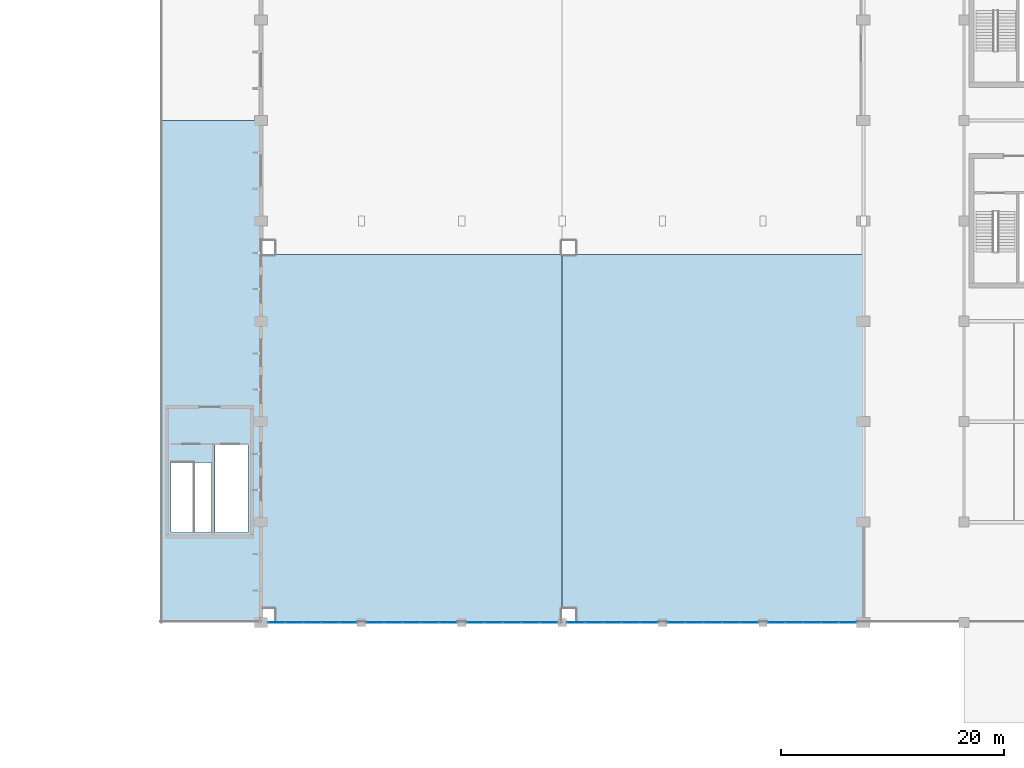
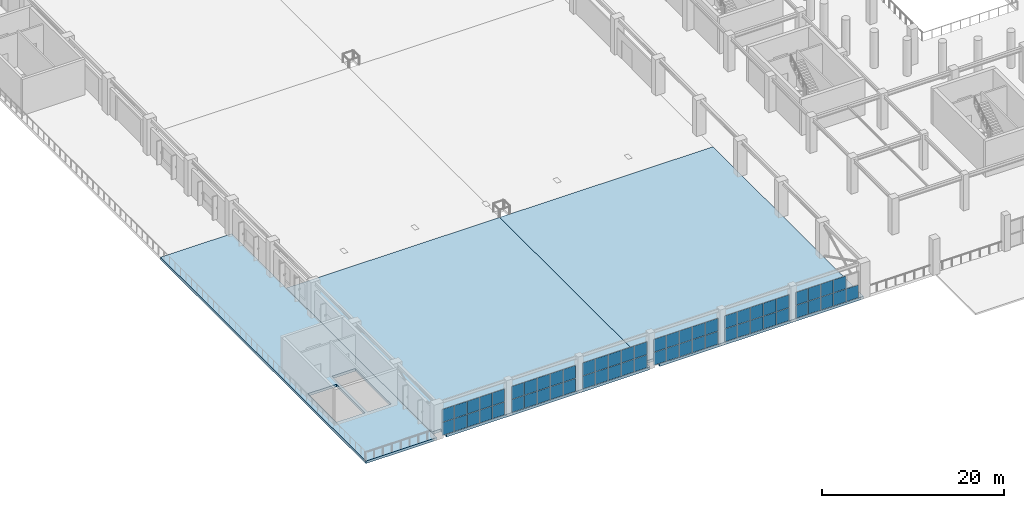
# One storey, part 51 of 89: 59 plates, 3 slabs, 6 elements without a shape of their own.
"""IFC4 building model written with IfcOpenShell, lengths in metres."""

from ifc_helpers import new_model, si_unit, direction, frame, origin, origin_2d, place, context, subcontext, project, spatial, polyline, rectangle, outline, extrude, material, layer, layer_set, type_object, element, aggregate, save


model = new_model("IFC4")

# Units and contexts
model_context = context("Model", 3, precision=1e-05, world=origin(), true_north=direction((0.0, 1.0)))
body_context = subcontext(model_context, "Body", "Model", "MODEL_VIEW")
ifc_project = project(units=[si_unit("LENGTHUNIT", "METRE"), si_unit("AREAUNIT", "SQUARE_METRE"), si_unit("VOLUMEUNIT", "CUBIC_METRE"), si_unit("PLANEANGLEUNIT", "RADIAN"), si_unit("MASSUNIT", "GRAM", prefix="KILO")], contexts=[model_context])

# Site, building, storey
site_placement = place(None, origin())
site = spatial("IfcSite", under=ifc_project, at=site_placement, CompositionType="ELEMENT")
building_placement = place(site_placement, origin())
building = spatial("IfcBuilding", under=site, at=building_placement, Name="Dornveld Trade and Exhibition Forum", CompositionType="ELEMENT")
storey_placement = place(building_placement, frame((0.0, 0.0, 12.0)))
storey = spatial("IfcBuildingStorey", under=building, at=storey_placement, Name="L02", CompositionType="ELEMENT", Elevation=12.0)

# Curtain wall, plates
ifc_material_1 = material(Name="Dark-bronze anodised aluminium and low-E glass", Category="aluminium")
ifc_layer_1 = layer(ifc_material_1, 0.1630859375)
ifc_layer_set_1 = layer_set([ifc_layer_1], Name="Dark-bronze anodised aluminium and low-E glass")
curtain_wall_type_1 = type_object("IfcCurtainWallType", Name="CW-SYS-07", PredefinedType="USERDEFINED", material=ifc_layer_set_1)
curtain_wall_1_placement = place(storey_placement, origin())
curtain_wall_1 = element("IfcCurtainWall", 1, at=curtain_wall_1_placement, inside=storey, type_object=curtain_wall_type_1, Name="L02 unitised curtain wall 25", ObjectType="UNITISED_CURTAIN_WALL", PredefinedType="USERDEFINED")
ifc_material_2 = material(Name="Double-glazed low-E solar control glass", Category="glass")
ifc_layer_2 = layer(ifc_material_2, 0.02587890625)
ifc_layer_set_2 = layer_set([ifc_layer_2], Name="Double-glazed low-E solar control glass")
plate_type_1 = type_object("IfcPlateType", Name="CW-PNL-01", PredefinedType="CURTAIN_PANEL", material=ifc_layer_set_2)
plate_1_placement = place(storey_placement, frame((55.2119140625, 36.0, 0.05615234375), z_axis=(0.0, 0.0, 1.0), x_axis=(1.0, 0.0, 0.0)))
plate_1 = element("IfcPlate", 2, at=plate_1_placement, type_object=plate_type_1, Name="CW-07 panel 1.1", PredefinedType="CURTAIN_PANEL", context=body_context, shape_type="SweptSolid", body=[
    extrude(rectangle(XDim=1.5615234375, YDim=0.02587890625, at=origin_2d()), origin(), (0.0, 0.0, 1.0), 1.701904296875),
])
plate_2_placement = place(storey_placement, frame((55.2119140625, 36.0, 1.81787109375), z_axis=(0.0, 0.0, 1.0), x_axis=(1.0, 0.0, 0.0)))
plate_2 = element("IfcPlate", 3, at=plate_2_placement, type_object=plate_type_1, Name="CW-07 panel 1.2", PredefinedType="CURTAIN_PANEL", context=body_context, shape_type="SweptSolid", body=[
    extrude(rectangle(XDim=1.5615234375, YDim=0.02587890625, at=origin_2d()), origin(), (0.0, 0.0, 1.0), 1.701904296875),
])
plate_3_placement = place(storey_placement, frame((56.848388671875, 36.0, 0.05615234375), z_axis=(0.0, 0.0, 1.0), x_axis=(1.0, 0.0, 0.0)))
plate_3 = element("IfcPlate", 4, at=plate_3_placement, type_object=plate_type_1, Name="CW-07 panel 2.1", PredefinedType="CURTAIN_PANEL", context=body_context, shape_type="SweptSolid", body=[
    extrude(rectangle(XDim=1.591552734375, YDim=0.02587890625, at=origin_2d()), origin(), (0.0, 0.0, 1.0), 1.701904296875),
])
plate_4_placement = place(storey_placement, frame((56.848388671875, 36.0, 1.81787109375), z_axis=(0.0, 0.0, 1.0), x_axis=(1.0, 0.0, 0.0)))
plate_4 = element("IfcPlate", 5, at=plate_4_placement, type_object=plate_type_1, Name="CW-07 panel 2.2", PredefinedType="CURTAIN_PANEL", context=body_context, shape_type="SweptSolid", body=[
    extrude(rectangle(XDim=1.591552734375, YDim=0.02587890625, at=origin_2d()), origin(), (0.0, 0.0, 1.0), 1.701904296875),
])
plate_5_placement = place(storey_placement, frame((58.5, 36.0, 0.05615234375), z_axis=(0.0, 0.0, 1.0), x_axis=(1.0, 0.0, 0.0)))
plate_5 = element("IfcPlate", 6, at=plate_5_placement, type_object=plate_type_1, Name="CW-07 panel 3.1", PredefinedType="CURTAIN_PANEL", context=body_context, shape_type="SweptSolid", body=[
    extrude(rectangle(XDim=1.591552734375, YDim=0.02587890625, at=origin_2d()), origin(), (0.0, 0.0, 1.0), 1.701904296875),
])
plate_6_placement = place(storey_placement, frame((58.5, 36.0, 1.81787109375), z_axis=(0.0, 0.0, 1.0), x_axis=(1.0, 0.0, 0.0)))
plate_6 = element("IfcPlate", 7, at=plate_6_placement, type_object=plate_type_1, Name="CW-07 panel 3.2", PredefinedType="CURTAIN_PANEL", context=body_context, shape_type="SweptSolid", body=[
    extrude(rectangle(XDim=1.591552734375, YDim=0.02587890625, at=origin_2d()), origin(), (0.0, 0.0, 1.0), 1.701904296875),
])
plate_7_placement = place(storey_placement, frame((60.151611328125, 36.0, 0.05615234375), z_axis=(0.0, 0.0, 1.0), x_axis=(1.0, 0.0, 0.0)))
plate_7 = element("IfcPlate", 8, at=plate_7_placement, type_object=plate_type_1, Name="CW-07 panel 4.1", PredefinedType="CURTAIN_PANEL", context=body_context, shape_type="SweptSolid", body=[
    extrude(rectangle(XDim=1.591552734375, YDim=0.02587890625, at=origin_2d()), origin(), (0.0, 0.0, 1.0), 1.701904296875),
])
plate_8_placement = place(storey_placement, frame((60.151611328125, 36.0, 1.81787109375), z_axis=(0.0, 0.0, 1.0), x_axis=(1.0, 0.0, 0.0)))
plate_8 = element("IfcPlate", 9, at=plate_8_placement, type_object=plate_type_1, Name="CW-07 panel 4.2", PredefinedType="CURTAIN_PANEL", context=body_context, shape_type="SweptSolid", body=[
    extrude(rectangle(XDim=1.591552734375, YDim=0.02587890625, at=origin_2d()), origin(), (0.0, 0.0, 1.0), 1.701904296875),
])
plate_9_placement = place(storey_placement, frame((61.7880859375, 36.0, 0.05615234375), z_axis=(0.0, 0.0, 1.0), x_axis=(1.0, 0.0, 0.0)))
plate_9 = element("IfcPlate", 10, at=plate_9_placement, type_object=plate_type_1, Name="CW-07 panel 5.1", PredefinedType="CURTAIN_PANEL", context=body_context, shape_type="SweptSolid", body=[
    extrude(rectangle(XDim=1.5615234375, YDim=0.02587890625, at=origin_2d()), origin(), (0.0, 0.0, 1.0), 1.701904296875),
])
plate_10_placement = place(storey_placement, frame((61.7880859375, 36.0, 1.81787109375), z_axis=(0.0, 0.0, 1.0), x_axis=(1.0, 0.0, 0.0)))
plate_10 = element("IfcPlate", 11, at=plate_10_placement, type_object=plate_type_1, Name="CW-07 panel 5.2", PredefinedType="CURTAIN_PANEL", context=body_context, shape_type="SweptSolid", body=[
    extrude(rectangle(XDim=1.5615234375, YDim=0.02587890625, at=origin_2d()), origin(), (0.0, 0.0, 1.0), 1.701904296875),
])
aggregate(curtain_wall_1, [plate_1, plate_2, plate_3, plate_4, plate_5, plate_6, plate_7, plate_8, plate_9, plate_10])

ifc_material_3 = material(Name="Dark-bronze anodised aluminium and low-E glass", Category="aluminium")
ifc_layer_3 = layer(ifc_material_3, 0.14501953125)
ifc_layer_set_3 = layer_set([ifc_layer_3], Name="Dark-bronze anodised aluminium and low-E glass")
curtain_wall_type_2 = type_object("IfcCurtainWallType", Name="CW-SYS-01", PredefinedType="USERDEFINED", material=ifc_layer_set_3)
curtain_wall_2_placement = place(storey_placement, origin())
curtain_wall_2 = element("IfcCurtainWall", 12, at=curtain_wall_2_placement, inside=storey, type_object=curtain_wall_type_2, Name="L02 unitised curtain wall 19", ObjectType="UNITISED_CURTAIN_WALL", PredefinedType="USERDEFINED")
ifc_material_4 = material(Name="Double-glazed low-E solar control glass", Category="glass")
ifc_layer_4 = layer(ifc_material_4, 0.030029296875)
ifc_layer_set_4 = layer_set([ifc_layer_4], Name="Double-glazed low-E solar control glass")
plate_type_2 = type_object("IfcPlateType", Name="CW-PNL-03", PredefinedType="CURTAIN_PANEL", material=ifc_layer_set_4)
plate_11_placement = place(storey_placement, frame((28.414306640625, 36.0, 0.05615234375), z_axis=(0.0, 0.0, 1.0), x_axis=(1.0, 0.0, 0.0)))
plate_11 = element("IfcPlate", 13, at=plate_11_placement, type_object=plate_type_2, Name="CW-01 panel 1.1", PredefinedType="CURTAIN_PANEL", context=body_context, shape_type="SweptSolid", body=[
    extrude(rectangle(XDim=1.5166015625, YDim=0.030029296875, at=origin_2d()), origin(), (0.0, 0.0, 1.0), 1.701904296875),
])
plate_12_placement = place(storey_placement, frame((28.414306640625, 36.0, 1.81787109375), z_axis=(0.0, 0.0, 1.0), x_axis=(1.0, 0.0, 0.0)))
plate_12 = element("IfcPlate", 14, at=plate_12_placement, type_object=plate_type_2, Name="CW-01 panel 1.2", PredefinedType="CURTAIN_PANEL", context=body_context, shape_type="SweptSolid", body=[
    extrude(rectangle(XDim=1.5166015625, YDim=0.030029296875, at=origin_2d()), origin(), (0.0, 0.0, 1.0), 1.701904296875),
])
plate_13_placement = place(storey_placement, frame((30.005859375, 36.0, 0.05615234375), z_axis=(0.0, 0.0, 1.0), x_axis=(1.0, 0.0, 0.0)))
plate_13 = element("IfcPlate", 15, at=plate_13_placement, type_object=plate_type_2, Name="CW-01 panel 2.1", PredefinedType="CURTAIN_PANEL", context=body_context, shape_type="SweptSolid", body=[
    extrude(rectangle(XDim=1.546630859375, YDim=0.030029296875, at=origin_2d()), origin(), (0.0, 0.0, 1.0), 1.701904296875),
])
plate_14_placement = place(storey_placement, frame((30.005859375, 36.0, 1.81787109375), z_axis=(0.0, 0.0, 1.0), x_axis=(1.0, 0.0, 0.0)))
plate_14 = element("IfcPlate", 16, at=plate_14_placement, type_object=plate_type_2, Name="CW-01 panel 2.2", PredefinedType="CURTAIN_PANEL", context=body_context, shape_type="SweptSolid", body=[
    extrude(rectangle(XDim=1.546630859375, YDim=0.030029296875, at=origin_2d()), origin(), (0.0, 0.0, 1.0), 1.701904296875),
])
plate_15_placement = place(storey_placement, frame((31.612548828125, 36.0, 0.05615234375), z_axis=(0.0, 0.0, 1.0), x_axis=(1.0, 0.0, 0.0)))
plate_15 = element("IfcPlate", 17, at=plate_15_placement, type_object=plate_type_2, Name="CW-01 panel 3.1", PredefinedType="CURTAIN_PANEL", context=body_context, shape_type="SweptSolid", body=[
    extrude(rectangle(XDim=1.546630859375, YDim=0.030029296875, at=origin_2d()), origin(), (0.0, 0.0, 1.0), 1.701904296875),
])
plate_16_placement = place(storey_placement, frame((31.612548828125, 36.0, 1.81787109375), z_axis=(0.0, 0.0, 1.0), x_axis=(1.0, 0.0, 0.0)))
plate_16 = element("IfcPlate", 18, at=plate_16_placement, type_object=plate_type_2, Name="CW-01 panel 3.2", PredefinedType="CURTAIN_PANEL", context=body_context, shape_type="SweptSolid", body=[
    extrude(rectangle(XDim=1.546630859375, YDim=0.030029296875, at=origin_2d()), origin(), (0.0, 0.0, 1.0), 1.701904296875),
])
plate_17_placement = place(storey_placement, frame((33.218994140625, 36.0, 0.05615234375), z_axis=(0.0, 0.0, 1.0), x_axis=(1.0, 0.0, 0.0)))
plate_17 = element("IfcPlate", 19, at=plate_17_placement, type_object=plate_type_2, Name="CW-01 panel 4.1", PredefinedType="CURTAIN_PANEL", context=body_context, shape_type="SweptSolid", body=[
    extrude(rectangle(XDim=1.546630859375, YDim=0.030029296875, at=origin_2d()), origin(), (0.0, 0.0, 1.0), 1.701904296875),
])
plate_18_placement = place(storey_placement, frame((33.218994140625, 36.0, 1.81787109375), z_axis=(0.0, 0.0, 1.0), x_axis=(1.0, 0.0, 0.0)))
plate_18 = element("IfcPlate", 20, at=plate_18_placement, type_object=plate_type_2, Name="CW-01 panel 4.2", PredefinedType="CURTAIN_PANEL", context=body_context, shape_type="SweptSolid", body=[
    extrude(rectangle(XDim=1.546630859375, YDim=0.030029296875, at=origin_2d()), origin(), (0.0, 0.0, 1.0), 1.701904296875),
])
plate_19_placement = place(storey_placement, frame((34.810791015625, 36.0, 0.05615234375), z_axis=(0.0, 0.0, 1.0), x_axis=(1.0, 0.0, 0.0)))
plate_19 = element("IfcPlate", 21, at=plate_19_placement, type_object=plate_type_2, Name="CW-01 panel 5.1", PredefinedType="CURTAIN_PANEL", context=body_context, shape_type="SweptSolid", body=[
    extrude(rectangle(XDim=1.5166015625, YDim=0.030029296875, at=origin_2d()), origin(), (0.0, 0.0, 1.0), 1.701904296875),
])
plate_20_placement = place(storey_placement, frame((34.810791015625, 36.0, 1.81787109375), z_axis=(0.0, 0.0, 1.0), x_axis=(1.0, 0.0, 0.0)))
plate_20 = element("IfcPlate", 22, at=plate_20_placement, type_object=plate_type_2, Name="CW-01 panel 5.2", PredefinedType="CURTAIN_PANEL", context=body_context, shape_type="SweptSolid", body=[
    extrude(rectangle(XDim=1.5166015625, YDim=0.030029296875, at=origin_2d()), origin(), (0.0, 0.0, 1.0), 1.701904296875),
])
aggregate(curtain_wall_2, [plate_11, plate_12, plate_13, plate_14, plate_15, plate_16, plate_17, plate_18, plate_19, plate_20])

ifc_material_5 = material(Name="Dark-bronze anodised aluminium and low-E glass", Category="aluminium")
ifc_layer_5 = layer(ifc_material_5, 0.1689453125)
ifc_layer_set_5 = layer_set([ifc_layer_5], Name="Dark-bronze anodised aluminium and low-E glass")
curtain_wall_type_3 = type_object("IfcCurtainWallType", Name="CW-SYS-09", PredefinedType="USERDEFINED", material=ifc_layer_set_5)
curtain_wall_3_placement = place(storey_placement, origin())
curtain_wall_3 = element("IfcCurtainWall", 23, at=curtain_wall_3_placement, inside=storey, type_object=curtain_wall_type_3, Name="L02 unitised curtain wall 27", ObjectType="UNITISED_CURTAIN_WALL", PredefinedType="USERDEFINED")
plate_21_placement = place(storey_placement, frame((64.2119140625, 36.0, 0.05615234375), z_axis=(0.0, 0.0, 1.0), x_axis=(1.0, 0.0, 0.0)))
plate_21 = element("IfcPlate", 24, at=plate_21_placement, type_object=plate_type_2, Name="CW-09 panel 1.1", PredefinedType="CURTAIN_PANEL", context=body_context, shape_type="SweptSolid", body=[
    extrude(rectangle(XDim=1.5615234375, YDim=0.030029296875, at=origin_2d()), origin(), (0.0, 0.0, 1.0), 1.701904296875),
])
plate_22_placement = place(storey_placement, frame((64.2119140625, 36.0, 1.81787109375), z_axis=(0.0, 0.0, 1.0), x_axis=(1.0, 0.0, 0.0)))
plate_22 = element("IfcPlate", 25, at=plate_22_placement, type_object=plate_type_2, Name="CW-09 panel 1.2", PredefinedType="CURTAIN_PANEL", context=body_context, shape_type="SweptSolid", body=[
    extrude(rectangle(XDim=1.5615234375, YDim=0.030029296875, at=origin_2d()), origin(), (0.0, 0.0, 1.0), 1.701904296875),
])
plate_23_placement = place(storey_placement, frame((65.848388671875, 36.0, 0.05615234375), z_axis=(0.0, 0.0, 1.0), x_axis=(1.0, 0.0, 0.0)))
plate_23 = element("IfcPlate", 26, at=plate_23_placement, type_object=plate_type_2, Name="CW-09 panel 2.1", PredefinedType="CURTAIN_PANEL", context=body_context, shape_type="SweptSolid", body=[
    extrude(rectangle(XDim=1.591552734375, YDim=0.030029296875, at=origin_2d()), origin(), (0.0, 0.0, 1.0), 1.701904296875),
])
plate_24_placement = place(storey_placement, frame((65.848388671875, 36.0, 1.81787109375), z_axis=(0.0, 0.0, 1.0), x_axis=(1.0, 0.0, 0.0)))
plate_24 = element("IfcPlate", 27, at=plate_24_placement, type_object=plate_type_2, Name="CW-09 panel 2.2", PredefinedType="CURTAIN_PANEL", context=body_context, shape_type="SweptSolid", body=[
    extrude(rectangle(XDim=1.591552734375, YDim=0.030029296875, at=origin_2d()), origin(), (0.0, 0.0, 1.0), 1.701904296875),
])
plate_25_placement = place(storey_placement, frame((67.5, 36.0, 0.05615234375), z_axis=(0.0, 0.0, 1.0), x_axis=(1.0, 0.0, 0.0)))
plate_25 = element("IfcPlate", 28, at=plate_25_placement, type_object=plate_type_2, Name="CW-09 panel 3.1", PredefinedType="CURTAIN_PANEL", context=body_context, shape_type="SweptSolid", body=[
    extrude(rectangle(XDim=1.591552734375, YDim=0.030029296875, at=origin_2d()), origin(), (0.0, 0.0, 1.0), 1.701904296875),
])
plate_26_placement = place(storey_placement, frame((67.5, 36.0, 1.81787109375), z_axis=(0.0, 0.0, 1.0), x_axis=(1.0, 0.0, 0.0)))
plate_26 = element("IfcPlate", 29, at=plate_26_placement, type_object=plate_type_2, Name="CW-09 panel 3.2", PredefinedType="CURTAIN_PANEL", context=body_context, shape_type="SweptSolid", body=[
    extrude(rectangle(XDim=1.591552734375, YDim=0.030029296875, at=origin_2d()), origin(), (0.0, 0.0, 1.0), 1.701904296875),
])
plate_27_placement = place(storey_placement, frame((69.151611328125, 36.0, 0.05615234375), z_axis=(0.0, 0.0, 1.0), x_axis=(1.0, 0.0, 0.0)))
plate_27 = element("IfcPlate", 30, at=plate_27_placement, type_object=plate_type_2, Name="CW-09 panel 4.1", PredefinedType="CURTAIN_PANEL", context=body_context, shape_type="SweptSolid", body=[
    extrude(rectangle(XDim=1.591552734375, YDim=0.030029296875, at=origin_2d()), origin(), (0.0, 0.0, 1.0), 1.701904296875),
])
plate_28_placement = place(storey_placement, frame((69.151611328125, 36.0, 1.81787109375), z_axis=(0.0, 0.0, 1.0), x_axis=(1.0, 0.0, 0.0)))
plate_28 = element("IfcPlate", 31, at=plate_28_placement, type_object=plate_type_2, Name="CW-09 panel 4.2", PredefinedType="CURTAIN_PANEL", context=body_context, shape_type="SweptSolid", body=[
    extrude(rectangle(XDim=1.591552734375, YDim=0.030029296875, at=origin_2d()), origin(), (0.0, 0.0, 1.0), 1.701904296875),
])
plate_29_placement = place(storey_placement, frame((70.7880859375, 36.0, 0.05615234375), z_axis=(0.0, 0.0, 1.0), x_axis=(1.0, 0.0, 0.0)))
plate_29 = element("IfcPlate", 32, at=plate_29_placement, type_object=plate_type_2, Name="CW-09 panel 5.1", PredefinedType="CURTAIN_PANEL", context=body_context, shape_type="SweptSolid", body=[
    extrude(rectangle(XDim=1.5615234375, YDim=0.030029296875, at=origin_2d()), origin(), (0.0, 0.0, 1.0), 1.701904296875),
])
plate_30_placement = place(storey_placement, frame((70.7880859375, 36.0, 1.81787109375), z_axis=(0.0, 0.0, 1.0), x_axis=(1.0, 0.0, 0.0)))
plate_30 = element("IfcPlate", 33, at=plate_30_placement, type_object=plate_type_2, Name="CW-09 panel 5.2", PredefinedType="CURTAIN_PANEL", context=body_context, shape_type="SweptSolid", body=[
    extrude(rectangle(XDim=1.5615234375, YDim=0.030029296875, at=origin_2d()), origin(), (0.0, 0.0, 1.0), 1.701904296875),
])
aggregate(curtain_wall_3, [plate_21, plate_22, plate_23, plate_24, plate_25, plate_26, plate_27, plate_28, plate_29, plate_30])

ifc_material_6 = material(Name="Dark-bronze anodised aluminium and low-E glass", Category="aluminium")
ifc_layer_6 = layer(ifc_material_6, 0.15087890625)
ifc_layer_set_6 = layer_set([ifc_layer_6], Name="Dark-bronze anodised aluminium and low-E glass")
curtain_wall_type_4 = type_object("IfcCurtainWallType", Name="CW-SYS-03", PredefinedType="USERDEFINED", material=ifc_layer_set_6)
curtain_wall_4_placement = place(storey_placement, origin())
curtain_wall_4 = element("IfcCurtainWall", 34, at=curtain_wall_4_placement, inside=storey, type_object=curtain_wall_type_4, Name="L02 unitised curtain wall 21", ObjectType="UNITISED_CURTAIN_WALL", PredefinedType="USERDEFINED")
ifc_material_7 = material(Name="Double-glazed low-E solar control glass", Category="glass")
ifc_layer_7 = layer(ifc_material_7, 0.033935546875)
ifc_layer_set_7 = layer_set([ifc_layer_7], Name="Double-glazed low-E solar control glass")
plate_type_3 = type_object("IfcPlateType", Name="CW-PNL-05", PredefinedType="CURTAIN_PANEL", material=ifc_layer_set_7)
plate_31_placement = place(storey_placement, frame((37.2119140625, 36.0, 0.05615234375), z_axis=(0.0, 0.0, 1.0), x_axis=(1.0, 0.0, 0.0)))
plate_31 = element("IfcPlate", 35, at=plate_31_placement, type_object=plate_type_3, Name="CW-03 panel 1.1", PredefinedType="CURTAIN_PANEL", context=body_context, shape_type="SweptSolid", body=[
    extrude(rectangle(XDim=1.5615234375, YDim=0.033935546875, at=origin_2d()), origin(), (0.0, 0.0, 1.0), 1.701904296875),
])
plate_32_placement = place(storey_placement, frame((37.2119140625, 36.0, 1.81787109375), z_axis=(0.0, 0.0, 1.0), x_axis=(1.0, 0.0, 0.0)))
plate_32 = element("IfcPlate", 36, at=plate_32_placement, type_object=plate_type_3, Name="CW-03 panel 1.2", PredefinedType="CURTAIN_PANEL", context=body_context, shape_type="SweptSolid", body=[
    extrude(rectangle(XDim=1.5615234375, YDim=0.033935546875, at=origin_2d()), origin(), (0.0, 0.0, 1.0), 1.701904296875),
])
plate_33_placement = place(storey_placement, frame((38.848388671875, 36.0, 0.05615234375), z_axis=(0.0, 0.0, 1.0), x_axis=(1.0, 0.0, 0.0)))
plate_33 = element("IfcPlate", 37, at=plate_33_placement, type_object=plate_type_3, Name="CW-03 panel 2.1", PredefinedType="CURTAIN_PANEL", context=body_context, shape_type="SweptSolid", body=[
    extrude(rectangle(XDim=1.591552734375, YDim=0.033935546875, at=origin_2d()), origin(), (0.0, 0.0, 1.0), 1.701904296875),
])
plate_34_placement = place(storey_placement, frame((38.848388671875, 36.0, 1.81787109375), z_axis=(0.0, 0.0, 1.0), x_axis=(1.0, 0.0, 0.0)))
plate_34 = element("IfcPlate", 38, at=plate_34_placement, type_object=plate_type_3, Name="CW-03 panel 2.2", PredefinedType="CURTAIN_PANEL", context=body_context, shape_type="SweptSolid", body=[
    extrude(rectangle(XDim=1.591552734375, YDim=0.033935546875, at=origin_2d()), origin(), (0.0, 0.0, 1.0), 1.701904296875),
])
plate_35_placement = place(storey_placement, frame((40.5, 36.0, 0.05615234375), z_axis=(0.0, 0.0, 1.0), x_axis=(1.0, 0.0, 0.0)))
plate_35 = element("IfcPlate", 39, at=plate_35_placement, type_object=plate_type_3, Name="CW-03 panel 3.1", PredefinedType="CURTAIN_PANEL", context=body_context, shape_type="SweptSolid", body=[
    extrude(rectangle(XDim=1.591552734375, YDim=0.033935546875, at=origin_2d()), origin(), (0.0, 0.0, 1.0), 1.701904296875),
])
plate_36_placement = place(storey_placement, frame((40.5, 36.0, 1.81787109375), z_axis=(0.0, 0.0, 1.0), x_axis=(1.0, 0.0, 0.0)))
plate_36 = element("IfcPlate", 40, at=plate_36_placement, type_object=plate_type_3, Name="CW-03 panel 3.2", PredefinedType="CURTAIN_PANEL", context=body_context, shape_type="SweptSolid", body=[
    extrude(rectangle(XDim=1.591552734375, YDim=0.033935546875, at=origin_2d()), origin(), (0.0, 0.0, 1.0), 1.701904296875),
])
plate_37_placement = place(storey_placement, frame((42.151611328125, 36.0, 0.05615234375), z_axis=(0.0, 0.0, 1.0), x_axis=(1.0, 0.0, 0.0)))
plate_37 = element("IfcPlate", 41, at=plate_37_placement, type_object=plate_type_3, Name="CW-03 panel 4.1", PredefinedType="CURTAIN_PANEL", context=body_context, shape_type="SweptSolid", body=[
    extrude(rectangle(XDim=1.591552734375, YDim=0.033935546875, at=origin_2d()), origin(), (0.0, 0.0, 1.0), 1.701904296875),
])
plate_38_placement = place(storey_placement, frame((42.151611328125, 36.0, 1.81787109375), z_axis=(0.0, 0.0, 1.0), x_axis=(1.0, 0.0, 0.0)))
plate_38 = element("IfcPlate", 42, at=plate_38_placement, type_object=plate_type_3, Name="CW-03 panel 4.2", PredefinedType="CURTAIN_PANEL", context=body_context, shape_type="SweptSolid", body=[
    extrude(rectangle(XDim=1.591552734375, YDim=0.033935546875, at=origin_2d()), origin(), (0.0, 0.0, 1.0), 1.701904296875),
])
plate_39_placement = place(storey_placement, frame((43.7880859375, 36.0, 0.05615234375), z_axis=(0.0, 0.0, 1.0), x_axis=(1.0, 0.0, 0.0)))
plate_39 = element("IfcPlate", 43, at=plate_39_placement, type_object=plate_type_3, Name="CW-03 panel 5.1", PredefinedType="CURTAIN_PANEL", context=body_context, shape_type="SweptSolid", body=[
    extrude(rectangle(XDim=1.5615234375, YDim=0.033935546875, at=origin_2d()), origin(), (0.0, 0.0, 1.0), 1.701904296875),
])
plate_40_placement = place(storey_placement, frame((43.7880859375, 36.0, 1.81787109375), z_axis=(0.0, 0.0, 1.0), x_axis=(1.0, 0.0, 0.0)))
plate_40 = element("IfcPlate", 44, at=plate_40_placement, type_object=plate_type_3, Name="CW-03 panel 5.2", PredefinedType="CURTAIN_PANEL", context=body_context, shape_type="SweptSolid", body=[
    extrude(rectangle(XDim=1.5615234375, YDim=0.033935546875, at=origin_2d()), origin(), (0.0, 0.0, 1.0), 1.701904296875),
])
aggregate(curtain_wall_4, [plate_31, plate_32, plate_33, plate_34, plate_35, plate_36, plate_37, plate_38, plate_39, plate_40])

ifc_material_8 = material(Name="Dark-bronze anodised aluminium and low-E glass", Category="aluminium")
ifc_layer_8 = layer(ifc_material_8, 0.175048828125)
ifc_layer_set_8 = layer_set([ifc_layer_8], Name="Dark-bronze anodised aluminium and low-E glass")
curtain_wall_type_5 = type_object("IfcCurtainWallType", Name="CW-SYS-11", PredefinedType="USERDEFINED", material=ifc_layer_set_8)
curtain_wall_5_placement = place(storey_placement, origin())
curtain_wall_5 = element("IfcCurtainWall", 45, at=curtain_wall_5_placement, inside=storey, type_object=curtain_wall_type_5, Name="L02 unitised curtain wall 29", ObjectType="UNITISED_CURTAIN_WALL", PredefinedType="USERDEFINED")
plate_41_placement = place(storey_placement, frame((73.189208984375, 36.0, 0.05615234375), z_axis=(0.0, 0.0, 1.0), x_axis=(1.0, 0.0, 0.0)))
plate_41 = element("IfcPlate", 46, at=plate_41_placement, type_object=plate_type_3, Name="CW-11 panel 1.1", PredefinedType="CURTAIN_PANEL", context=body_context, shape_type="SweptSolid", body=[
    extrude(rectangle(XDim=1.5166015625, YDim=0.033935546875, at=origin_2d()), origin(), (0.0, 0.0, 1.0), 1.701904296875),
])
plate_42_placement = place(storey_placement, frame((73.189208984375, 36.0, 1.81787109375), z_axis=(0.0, 0.0, 1.0), x_axis=(1.0, 0.0, 0.0)))
plate_42 = element("IfcPlate", 47, at=plate_42_placement, type_object=plate_type_3, Name="CW-11 panel 1.2", PredefinedType="CURTAIN_PANEL", context=body_context, shape_type="SweptSolid", body=[
    extrude(rectangle(XDim=1.5166015625, YDim=0.033935546875, at=origin_2d()), origin(), (0.0, 0.0, 1.0), 1.701904296875),
])
plate_43_placement = place(storey_placement, frame((74.781005859375, 36.0, 0.05615234375), z_axis=(0.0, 0.0, 1.0), x_axis=(1.0, 0.0, 0.0)))
plate_43 = element("IfcPlate", 48, at=plate_43_placement, type_object=plate_type_3, Name="CW-11 panel 2.1", PredefinedType="CURTAIN_PANEL", context=body_context, shape_type="SweptSolid", body=[
    extrude(rectangle(XDim=1.546630859375, YDim=0.033935546875, at=origin_2d()), origin(), (0.0, 0.0, 1.0), 1.701904296875),
])
plate_44_placement = place(storey_placement, frame((74.781005859375, 36.0, 1.81787109375), z_axis=(0.0, 0.0, 1.0), x_axis=(1.0, 0.0, 0.0)))
plate_44 = element("IfcPlate", 49, at=plate_44_placement, type_object=plate_type_3, Name="CW-11 panel 2.2", PredefinedType="CURTAIN_PANEL", context=body_context, shape_type="SweptSolid", body=[
    extrude(rectangle(XDim=1.546630859375, YDim=0.033935546875, at=origin_2d()), origin(), (0.0, 0.0, 1.0), 1.701904296875),
])
plate_45_placement = place(storey_placement, frame((76.387451171875, 36.0, 0.05615234375), z_axis=(0.0, 0.0, 1.0), x_axis=(1.0, 0.0, 0.0)))
plate_45 = element("IfcPlate", 50, at=plate_45_placement, type_object=plate_type_3, Name="CW-11 panel 3.1", PredefinedType="CURTAIN_PANEL", context=body_context, shape_type="SweptSolid", body=[
    extrude(rectangle(XDim=1.546630859375, YDim=0.033935546875, at=origin_2d()), origin(), (0.0, 0.0, 1.0), 1.701904296875),
])
plate_46_placement = place(storey_placement, frame((76.387451171875, 36.0, 1.81787109375), z_axis=(0.0, 0.0, 1.0), x_axis=(1.0, 0.0, 0.0)))
plate_46 = element("IfcPlate", 51, at=plate_46_placement, type_object=plate_type_3, Name="CW-11 panel 3.2", PredefinedType="CURTAIN_PANEL", context=body_context, shape_type="SweptSolid", body=[
    extrude(rectangle(XDim=1.546630859375, YDim=0.033935546875, at=origin_2d()), origin(), (0.0, 0.0, 1.0), 1.701904296875),
])
plate_47_placement = place(storey_placement, frame((77.994140625, 36.0, 0.05615234375), z_axis=(0.0, 0.0, 1.0), x_axis=(1.0, 0.0, 0.0)))
plate_47 = element("IfcPlate", 52, at=plate_47_placement, type_object=plate_type_3, Name="CW-11 panel 4.1", PredefinedType="CURTAIN_PANEL", context=body_context, shape_type="SweptSolid", body=[
    extrude(rectangle(XDim=1.546630859375, YDim=0.033935546875, at=origin_2d()), origin(), (0.0, 0.0, 1.0), 1.701904296875),
])
plate_48_placement = place(storey_placement, frame((77.994140625, 36.0, 1.81787109375), z_axis=(0.0, 0.0, 1.0), x_axis=(1.0, 0.0, 0.0)))
plate_48 = element("IfcPlate", 53, at=plate_48_placement, type_object=plate_type_3, Name="CW-11 panel 4.2", PredefinedType="CURTAIN_PANEL", context=body_context, shape_type="SweptSolid", body=[
    extrude(rectangle(XDim=1.546630859375, YDim=0.033935546875, at=origin_2d()), origin(), (0.0, 0.0, 1.0), 1.701904296875),
])
plate_49_placement = place(storey_placement, frame((79.585693359375, 36.0, 0.05615234375), z_axis=(0.0, 0.0, 1.0), x_axis=(1.0, 0.0, 0.0)))
plate_49 = element("IfcPlate", 54, at=plate_49_placement, type_object=plate_type_3, Name="CW-11 panel 5.1", PredefinedType="CURTAIN_PANEL", context=body_context, shape_type="SweptSolid", body=[
    extrude(rectangle(XDim=1.5166015625, YDim=0.033935546875, at=origin_2d()), origin(), (0.0, 0.0, 1.0), 1.701904296875),
])
aggregate(curtain_wall_5, [plate_41, plate_42, plate_43, plate_44, plate_45, plate_46, plate_47, plate_48, plate_49])

ifc_material_9 = material(Name="Dark-bronze anodised aluminium and low-E glass", Category="aluminium")
ifc_layer_9 = layer(ifc_material_9, 0.156982421875)
ifc_layer_set_9 = layer_set([ifc_layer_9], Name="Dark-bronze anodised aluminium and low-E glass")
curtain_wall_type_6 = type_object("IfcCurtainWallType", Name="CW-SYS-05", PredefinedType="USERDEFINED", material=ifc_layer_set_9)
curtain_wall_6_placement = place(storey_placement, origin())
curtain_wall_6 = element("IfcCurtainWall", 55, at=curtain_wall_6_placement, inside=storey, type_object=curtain_wall_type_6, Name="L02 unitised curtain wall 23", ObjectType="UNITISED_CURTAIN_WALL", PredefinedType="USERDEFINED")
ifc_material_10 = material(Name="Double-glazed low-E solar control glass", Category="glass")
ifc_layer_10 = layer(ifc_material_10, 0.0380859375)
ifc_layer_set_10 = layer_set([ifc_layer_10], Name="Double-glazed low-E solar control glass")
plate_type_4 = type_object("IfcPlateType", Name="CW-PNL-07", PredefinedType="CURTAIN_PANEL", material=ifc_layer_set_10)
plate_50_placement = place(storey_placement, frame((46.2119140625, 36.0, 0.05615234375), z_axis=(0.0, 0.0, 1.0), x_axis=(1.0, 0.0, 0.0)))
plate_50 = element("IfcPlate", 56, at=plate_50_placement, type_object=plate_type_4, Name="CW-05 panel 1.1", PredefinedType="CURTAIN_PANEL", context=body_context, shape_type="SweptSolid", body=[
    extrude(rectangle(XDim=1.5615234375, YDim=0.0380859375, at=origin_2d()), origin(), (0.0, 0.0, 1.0), 1.701904296875),
])
plate_51_placement = place(storey_placement, frame((46.2119140625, 36.0, 1.81787109375), z_axis=(0.0, 0.0, 1.0), x_axis=(1.0, 0.0, 0.0)))
plate_51 = element("IfcPlate", 57, at=plate_51_placement, type_object=plate_type_4, Name="CW-05 panel 1.2", PredefinedType="CURTAIN_PANEL", context=body_context, shape_type="SweptSolid", body=[
    extrude(rectangle(XDim=1.5615234375, YDim=0.0380859375, at=origin_2d()), origin(), (0.0, 0.0, 1.0), 1.701904296875),
])
plate_52_placement = place(storey_placement, frame((47.848388671875, 36.0, 0.05615234375), z_axis=(0.0, 0.0, 1.0), x_axis=(1.0, 0.0, 0.0)))
plate_52 = element("IfcPlate", 58, at=plate_52_placement, type_object=plate_type_4, Name="CW-05 panel 2.1", PredefinedType="CURTAIN_PANEL", context=body_context, shape_type="SweptSolid", body=[
    extrude(rectangle(XDim=1.591552734375, YDim=0.0380859375, at=origin_2d()), origin(), (0.0, 0.0, 1.0), 1.701904296875),
])
plate_53_placement = place(storey_placement, frame((47.848388671875, 36.0, 1.81787109375), z_axis=(0.0, 0.0, 1.0), x_axis=(1.0, 0.0, 0.0)))
plate_53 = element("IfcPlate", 59, at=plate_53_placement, type_object=plate_type_4, Name="CW-05 panel 2.2", PredefinedType="CURTAIN_PANEL", context=body_context, shape_type="SweptSolid", body=[
    extrude(rectangle(XDim=1.591552734375, YDim=0.0380859375, at=origin_2d()), origin(), (0.0, 0.0, 1.0), 1.701904296875),
])
plate_54_placement = place(storey_placement, frame((49.5, 36.0, 0.05615234375), z_axis=(0.0, 0.0, 1.0), x_axis=(1.0, 0.0, 0.0)))
plate_54 = element("IfcPlate", 60, at=plate_54_placement, type_object=plate_type_4, Name="CW-05 panel 3.1", PredefinedType="CURTAIN_PANEL", context=body_context, shape_type="SweptSolid", body=[
    extrude(rectangle(XDim=1.591552734375, YDim=0.0380859375, at=origin_2d()), origin(), (0.0, 0.0, 1.0), 1.701904296875),
])
plate_55_placement = place(storey_placement, frame((49.5, 36.0, 1.81787109375), z_axis=(0.0, 0.0, 1.0), x_axis=(1.0, 0.0, 0.0)))
plate_55 = element("IfcPlate", 61, at=plate_55_placement, type_object=plate_type_4, Name="CW-05 panel 3.2", PredefinedType="CURTAIN_PANEL", context=body_context, shape_type="SweptSolid", body=[
    extrude(rectangle(XDim=1.591552734375, YDim=0.0380859375, at=origin_2d()), origin(), (0.0, 0.0, 1.0), 1.701904296875),
])
plate_56_placement = place(storey_placement, frame((51.151611328125, 36.0, 0.05615234375), z_axis=(0.0, 0.0, 1.0), x_axis=(1.0, 0.0, 0.0)))
plate_56 = element("IfcPlate", 62, at=plate_56_placement, type_object=plate_type_4, Name="CW-05 panel 4.1", PredefinedType="CURTAIN_PANEL", context=body_context, shape_type="SweptSolid", body=[
    extrude(rectangle(XDim=1.591552734375, YDim=0.0380859375, at=origin_2d()), origin(), (0.0, 0.0, 1.0), 1.701904296875),
])
plate_57_placement = place(storey_placement, frame((51.151611328125, 36.0, 1.81787109375), z_axis=(0.0, 0.0, 1.0), x_axis=(1.0, 0.0, 0.0)))
plate_57 = element("IfcPlate", 63, at=plate_57_placement, type_object=plate_type_4, Name="CW-05 panel 4.2", PredefinedType="CURTAIN_PANEL", context=body_context, shape_type="SweptSolid", body=[
    extrude(rectangle(XDim=1.591552734375, YDim=0.0380859375, at=origin_2d()), origin(), (0.0, 0.0, 1.0), 1.701904296875),
])
plate_58_placement = place(storey_placement, frame((52.7880859375, 36.0, 0.05615234375), z_axis=(0.0, 0.0, 1.0), x_axis=(1.0, 0.0, 0.0)))
plate_58 = element("IfcPlate", 64, at=plate_58_placement, type_object=plate_type_4, Name="CW-05 panel 5.1", PredefinedType="CURTAIN_PANEL", context=body_context, shape_type="SweptSolid", body=[
    extrude(rectangle(XDim=1.5615234375, YDim=0.0380859375, at=origin_2d()), origin(), (0.0, 0.0, 1.0), 1.701904296875),
])
plate_59_placement = place(storey_placement, frame((52.7880859375, 36.0, 1.81787109375), z_axis=(0.0, 0.0, 1.0), x_axis=(1.0, 0.0, 0.0)))
plate_59 = element("IfcPlate", 65, at=plate_59_placement, type_object=plate_type_4, Name="CW-05 panel 5.2", PredefinedType="CURTAIN_PANEL", context=body_context, shape_type="SweptSolid", body=[
    extrude(rectangle(XDim=1.5615234375, YDim=0.0380859375, at=origin_2d()), origin(), (0.0, 0.0, 1.0), 1.701904296875),
])
aggregate(curtain_wall_6, [plate_50, plate_51, plate_52, plate_53, plate_54, plate_55, plate_56, plate_57, plate_58, plate_59])

# Slabs
ifc_material_11 = material(Name="Precast concrete C50/60", Category="concrete")
ifc_layer_11 = layer(ifc_material_11, 0.35009765625)
ifc_layer_set_11 = layer_set([ifc_layer_11], Name="Precast concrete C50/60")
slab_type_1 = type_object("IfcSlabType", Name="SL-APRON-350", PredefinedType="FLOOR", material=ifc_layer_set_11)
slab_1_placement = place(storey_placement, frame((0.0, 0.0, -0.35009765625)))
element("IfcSlab", 66, at=slab_1_placement, inside=storey, type_object=slab_type_1, Name="L02 structural slab panel 60", PredefinedType="FLOOR", context=body_context, shape_type="SweptSolid", body=[
    extrude(outline(polyline([(18.0, 36.0), (27.0, 36.0), (27.0, 81.0), (18.0, 81.0), (18.0, 36.0)]), holes=[polyline([(18.949951171875, 44.050048828125), (22.550048828125, 44.050048828125), (22.550048828125, 50.330078125), (18.949951171875, 50.330078125), (18.949951171875, 44.050048828125)]), polyline([(22.89990234375, 44.050048828125), (25.85009765625, 44.050048828125), (25.85009765625, 51.89990234375), (22.89990234375, 51.89990234375), (22.89990234375, 44.050048828125)])]), origin(), (0.0, 0.0, 1.0), 0.35009765625),
])
ifc_material_12 = material(Name="Precast concrete C50/60", Category="concrete")
ifc_layer_12 = layer(ifc_material_12, 0.360107421875)
ifc_layer_set_12 = layer_set([ifc_layer_12], Name="Precast concrete C50/60")
slab_type_2 = type_object("IfcSlabType", Name="SL-UPPER-360", PredefinedType="FLOOR", material=ifc_layer_set_12)
slab_2_placement = place(storey_placement, frame((0.0, 0.0, -0.360107421875)))
element("IfcSlab", 67, at=slab_2_placement, inside=storey, type_object=slab_type_2, Name="L02 structural slab panel 53", PredefinedType="FLOOR", context=body_context, shape_type="SweptSolid", body=[
    extrude(outline(polyline([(28.199951171875, 36.0), (54.0, 36.0), (54.0, 69.0), (27.0, 69.0), (27.0, 37.199951171875), (28.199951171875, 37.199951171875), (28.199951171875, 36.0)])), origin(), (0.0, 0.0, 1.0), 0.360107421875),
])
slab_3_placement = place(storey_placement, frame((0.0, 0.0, -0.360107421875)))
element("IfcSlab", 68, at=slab_3_placement, inside=storey, type_object=slab_type_2, Name="L02 structural slab panel 56", PredefinedType="FLOOR", context=body_context, shape_type="SweptSolid", body=[
    extrude(outline(polyline([(55.199951171875, 36.0), (81.0, 36.0), (81.0, 69.0), (54.0, 69.0), (54.0, 37.199951171875), (55.199951171875, 37.199951171875), (55.199951171875, 36.0)])), origin(), (0.0, 0.0, 1.0), 0.360107421875),
])

save(model, "model.ifc")
